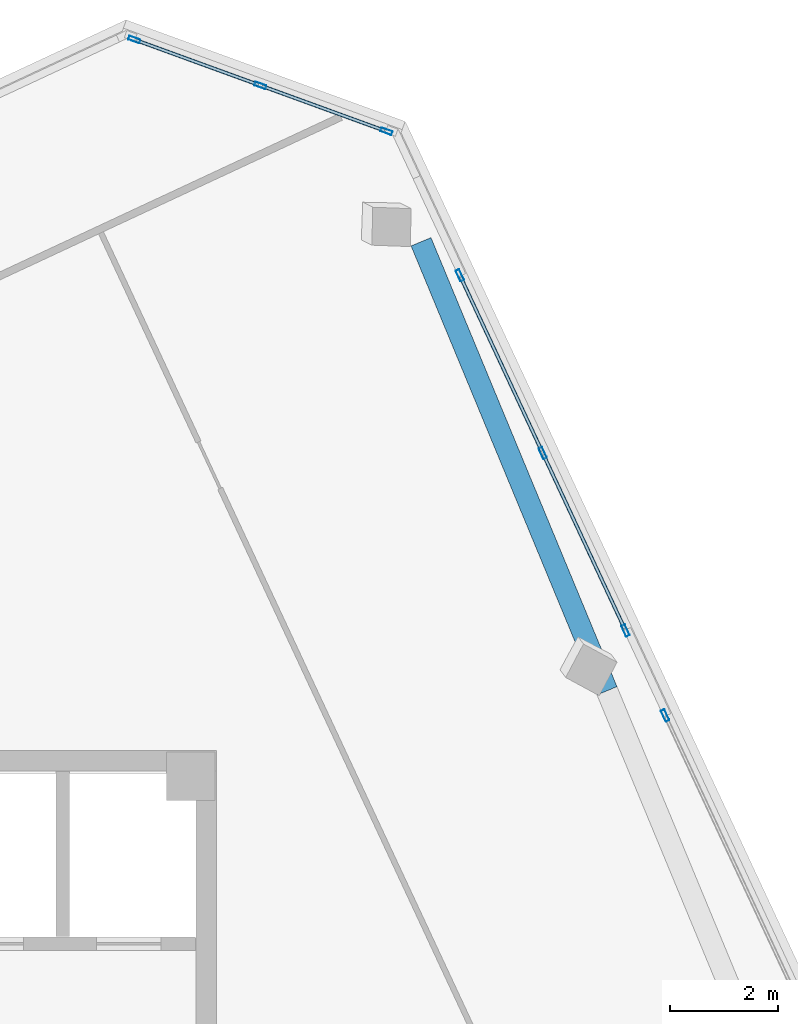
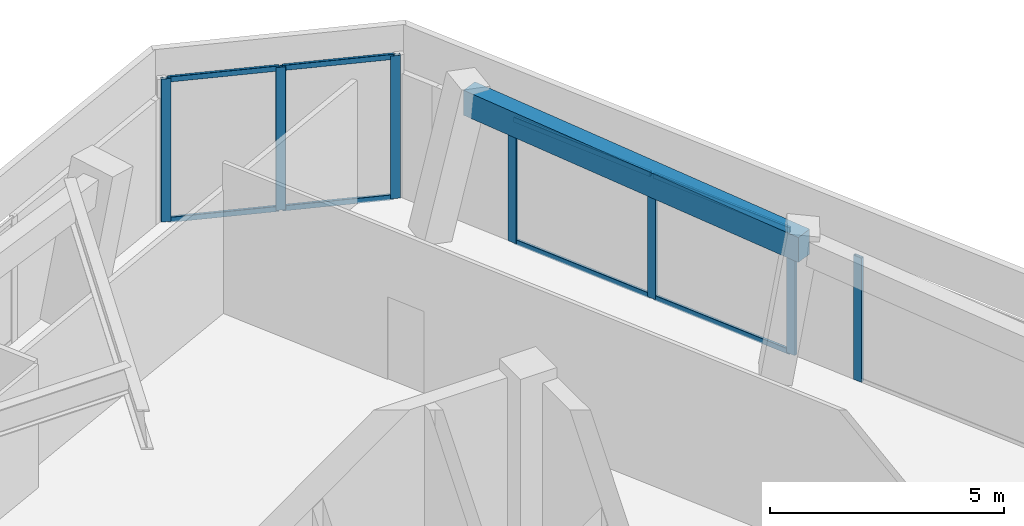
# One storey, part 10 of 16: 15 members, 1 beam, 3 elements without a shape of their own.
"""IFC4 building model written with IfcOpenShell, lengths in metres."""

from ifc_helpers import new_model, si_unit, direction, frame, origin, origin_2d, place, context, subcontext, project, spatial, rectangle, hollow_rectangle, extrude, source, transform, mapped, material, material_profile, profile_set, type_object, element, aggregate, save


model = new_model("IFC4")

# Units and contexts
model_context = context("Model", 3, precision=1e-05, world=origin(), true_north=direction((0.0, 1.0)))
body_context = subcontext(model_context, "Body", "Model", "MODEL_VIEW")
ifc_project = project(units=[si_unit("LENGTHUNIT", "METRE"), si_unit("AREAUNIT", "SQUARE_METRE"), si_unit("VOLUMEUNIT", "CUBIC_METRE"), si_unit("PLANEANGLEUNIT", "RADIAN"), si_unit("MASSUNIT", "GRAM", prefix="KILO")], contexts=[model_context])

# Site, building, storey
site_placement = place(None, origin())
site = spatial("IfcSite", under=ifc_project, at=site_placement, CompositionType="ELEMENT")
building_placement = place(site_placement, origin())
building = spatial("IfcBuilding", under=site, at=building_placement, Name="Torre Montelarca", CompositionType="ELEMENT")
storey_placement = place(building_placement, frame((0.0, 0.0, 345.0)))
storey = spatial("IfcBuildingStorey", under=building, at=storey_placement, Name="L78", CompositionType="ELEMENT", Elevation=345.0)

# Beam
ifc_material_1 = material(Name="Concrete C40/50", Category="concrete")
ifc_material_profile_1 = material_profile(ifc_material_1, rectangle(XDim=0.39990234375, YDim=0.64990234375, at=origin_2d()), Name="RCB400X650", Category="concrete")
ifc_profile_set_1 = profile_set([ifc_material_profile_1], Name="Concrete C40/50")
beam_type = type_object("IfcBeamType", Name="BM-SP-RC650-EXT", PredefinedType="SPANDREL", material=ifc_profile_set_1)
shared_shape_1 = source(origin(), body_context, "Body", "SweptSolid", [
    extrude(rectangle(XDim=0.39990234375, YDim=0.64990234375, at=origin_2d()), origin(), (0.0, 0.0, 1.0), 9.0),
])
beam_placement = place(storey_placement, frame((30.713134765625, 49.34619140625, 3.594970703125), z_axis=(0.382699975578, -0.923872679915, 0.0), x_axis=(0.923872679915, 0.382699975578, 0.0)))
element("IfcBeam", 1, at=beam_placement, inside=storey, type_object=beam_type, Name="L78 Grid Girder X 9.0-18.0 at Y=47.1", PredefinedType="SPANDREL", context=body_context, shape_type="MappedRepresentation", body=[
    mapped(shared_shape_1, transform((0.0, 0.0, 0.0), scale=1.0)),
])

# Curtain wall, members
ifc_material_2 = material(Name="Insulated low-E laminated glass", Category="glass")
curtain_wall_type = type_object("IfcCurtainWallType", Name="CW-SYS-Z4", PredefinedType="USERDEFINED", material=ifc_material_2)
curtain_wall_1_placement = place(storey_placement, origin())
curtain_wall_1 = element("IfcCurtainWall", 2, at=curtain_wall_1_placement, inside=storey, type_object=curtain_wall_type, Name="L78 Curtain Wall Run CW-T3-L78-E09-B1", ObjectType="UNITISED GLAZING", PredefinedType="USERDEFINED")
ifc_material_3 = material(Name="Anodised aluminium AA 6063-T6", Category="aluminium")
ifc_material_profile_2 = material_profile(ifc_material_3, hollow_rectangle(XDim=0.074951171875, YDim=0.219970703125, WallThickness=0.0048828125, InnerFilletRadius=0.0048828125, OuterFilletRadius=0.010009765625, at=origin_2d()), Name="ALU75X220X5", Category="aluminium")
ifc_profile_set_2 = profile_set([ifc_material_profile_2], Name="Anodised aluminium AA 6063-T6")
member_type_1 = type_object("IfcMemberType", Name="CWM-ALU220", PredefinedType="MULLION", material=ifc_profile_set_2)
shared_shape_2 = source(origin(), body_context, "Body", "SweptSolid", [
    extrude(hollow_rectangle(XDim=0.074951171875, YDim=0.219970703125, WallThickness=0.0048828125, InnerFilletRadius=0.0048828125, OuterFilletRadius=0.010009765625, at=origin_2d()), origin(), (0.0, 0.0, 1.0), 3.719970703125),
])
member_1_placement = place(storey_placement, frame((30.072265625, 51.3916015625, 0.0), z_axis=(0.0, 0.0, 1.0), x_axis=(-0.342015350618, -0.939694365175, 0.0)))
member_1 = element("IfcMember", 3, at=member_1_placement, type_object=member_type_1, Name="CW mullion 1", PredefinedType="MULLION", context=body_context, shape_type="MappedRepresentation", body=[
    mapped(shared_shape_2, transform((0.0, 0.0, 0.0), scale=1.0)),
])
member_2_placement = place(storey_placement, frame((27.73828125, 52.240966796875, 0.0), z_axis=(0.0, 0.0, 1.0), x_axis=(-0.342015350618, -0.939694365175, 0.0)))
member_2 = element("IfcMember", 4, at=member_2_placement, type_object=member_type_1, Name="CW mullion 2", PredefinedType="MULLION", context=body_context, shape_type="MappedRepresentation", body=[
    mapped(shared_shape_2, transform((0.0, 0.0, 0.0), scale=1.0)),
])
member_3_placement = place(storey_placement, frame((25.404541015625, 53.09033203125, 0.0), z_axis=(0.0, 0.0, 1.0), x_axis=(-0.342015350618, -0.939694365175, 0.0)))
member_3 = element("IfcMember", 5, at=member_3_placement, type_object=member_type_1, Name="CW mullion 3", PredefinedType="MULLION", context=body_context, shape_type="MappedRepresentation", body=[
    mapped(shared_shape_2, transform((0.0, 0.0, 0.0), scale=1.0)),
])
ifc_material_profile_3 = material_profile(ifc_material_3, hollow_rectangle(XDim=0.06494140625, YDim=0.139892578125, WallThickness=0.00390625, InnerFilletRadius=0.00390625, OuterFilletRadius=0.008056640625, at=origin_2d()), Name="ALU65X140X4", Category="aluminium")
ifc_profile_set_3 = profile_set([ifc_material_profile_3], Name="Anodised aluminium AA 6063-T6")
member_type_2 = type_object("IfcMemberType", Name="CWT-ALU140", PredefinedType="USERDEFINED", material=ifc_profile_set_3)
shared_shape_3 = source(origin(), body_context, "Body", "SweptSolid", [
    extrude(hollow_rectangle(XDim=0.06494140625, YDim=0.139892578125, WallThickness=0.00390625, InnerFilletRadius=0.00390625, OuterFilletRadius=0.008056640625, at=origin_2d()), origin(), (0.0, 0.0, 1.0), 2.40869140625),
])
member_4_placement = place(storey_placement, frame((27.703125, 52.253662109375, 0.032470703125), z_axis=(-0.939672032915, 0.342076702739, 0.0), x_axis=(-0.342076702739, -0.939672032915, 0.0)))
member_4 = element("IfcMember", 6, at=member_4_placement, type_object=member_type_2, Name="CW transom 2.1", ObjectType="TRANSOM", PredefinedType="USERDEFINED", context=body_context, shape_type="MappedRepresentation", body=[
    mapped(shared_shape_3, transform((0.0, 0.0, 0.0), scale=1.0)),
])
member_5_placement = place(storey_placement, frame((27.703125, 52.253662109375, 3.6875), z_axis=(-0.939672032915, 0.342076702739, 0.0), x_axis=(-0.342076702739, -0.939672032915, 0.0)))
member_5 = element("IfcMember", 7, at=member_5_placement, type_object=member_type_2, Name="CW transom 2.2", ObjectType="TRANSOM", PredefinedType="USERDEFINED", context=body_context, shape_type="MappedRepresentation", body=[
    mapped(shared_shape_3, transform((0.0, 0.0, 0.0), scale=1.0)),
])
shared_shape_4 = source(origin(), body_context, "Body", "SweptSolid", [
    extrude(hollow_rectangle(XDim=0.06494140625, YDim=0.139892578125, WallThickness=0.00390625, InnerFilletRadius=0.00390625, OuterFilletRadius=0.008056640625, at=origin_2d()), origin(), (0.0, 0.0, 1.0), 2.408447265625),
])
member_6_placement = place(storey_placement, frame((30.036865234375, 51.404296875, 0.032470703125), z_axis=(-0.939692753438, 0.342019778867, 0.0), x_axis=(-0.342019778867, -0.939692753438, 0.0)))
member_6 = element("IfcMember", 8, at=member_6_placement, type_object=member_type_2, Name="CW transom 1.1", ObjectType="TRANSOM", PredefinedType="USERDEFINED", context=body_context, shape_type="MappedRepresentation", body=[
    mapped(shared_shape_4, transform((0.0, 0.0, 0.0), scale=1.0)),
])
member_7_placement = place(storey_placement, frame((30.036865234375, 51.404296875, 3.6875), z_axis=(-0.939692753438, 0.342019778867, 0.0), x_axis=(-0.342019778867, -0.939692753438, 0.0)))
member_7 = element("IfcMember", 9, at=member_7_placement, type_object=member_type_2, Name="CW transom 1.2", ObjectType="TRANSOM", PredefinedType="USERDEFINED", context=body_context, shape_type="MappedRepresentation", body=[
    mapped(shared_shape_4, transform((0.0, 0.0, 0.0), scale=1.0)),
])
aggregate(curtain_wall_1, [member_1, member_2, member_3, member_6, member_7, member_4, member_5])

# Curtain wall, member
curtain_wall_2_placement = place(storey_placement, origin())
curtain_wall_2 = element("IfcCurtainWall", 10, at=curtain_wall_2_placement, inside=storey, type_object=curtain_wall_type, Name="L78 Curtain Wall Run CW-T3-L78-E08-B1", ObjectType="UNITISED GLAZING", PredefinedType="USERDEFINED")
shared_shape_5 = source(origin(), body_context, "Body", "SweptSolid", [
    extrude(hollow_rectangle(XDim=0.074951171875, YDim=0.219970703125, WallThickness=0.0048828125, InnerFilletRadius=0.0048828125, OuterFilletRadius=0.010009765625, at=origin_2d()), origin(), (0.0, 0.0, 1.0), 3.235107421875),
])
member_8_placement = place(storey_placement, frame((35.232666015625, 40.5751953125, 0.0), z_axis=(0.0, 0.0, 1.0), x_axis=(-0.906309172105, -0.42261529144, 0.0)))
member_8 = element("IfcMember", 11, at=member_8_placement, type_object=member_type_1, Name="CW mullion 3", PredefinedType="MULLION", context=body_context, shape_type="MappedRepresentation", body=[
    mapped(shared_shape_5, transform((0.0, 0.0, 0.0), scale=1.0)),
])
aggregate(curtain_wall_2, [member_8])

# Curtain wall, members
curtain_wall_3_placement = place(storey_placement, origin())
curtain_wall_3 = element("IfcCurtainWall", 12, at=curtain_wall_3_placement, inside=storey, type_object=curtain_wall_type, Name="L78 Curtain Wall Run CW-T3-L78-E08-B2", ObjectType="UNITISED GLAZING", PredefinedType="USERDEFINED")
member_9_placement = place(storey_placement, frame((34.499267578125, 42.147705078125, 0.0), z_axis=(0.0, 0.0, 1.0), x_axis=(-0.906309242811, -0.422615139808, 0.0)))
member_9 = element("IfcMember", 13, at=member_9_placement, type_object=member_type_1, Name="CW mullion 1", PredefinedType="MULLION", context=body_context, shape_type="MappedRepresentation", body=[
    mapped(shared_shape_5, transform((0.0, 0.0, 0.0), scale=1.0)),
])
member_10_placement = place(storey_placement, frame((32.9658203125, 45.43603515625, 0.0), z_axis=(0.0, 0.0, 1.0), x_axis=(-0.906309242811, -0.422615139808, 0.0)))
member_10 = element("IfcMember", 14, at=member_10_placement, type_object=member_type_1, Name="CW mullion 2", PredefinedType="MULLION", context=body_context, shape_type="MappedRepresentation", body=[
    mapped(shared_shape_5, transform((0.0, 0.0, 0.0), scale=1.0)),
])
member_11_placement = place(storey_placement, frame((31.4326171875, 48.724365234375, 0.0), z_axis=(0.0, 0.0, 1.0), x_axis=(-0.906309242811, -0.422615139808, 0.0)))
member_11 = element("IfcMember", 15, at=member_11_placement, type_object=member_type_1, Name="CW mullion 3", PredefinedType="MULLION", context=body_context, shape_type="MappedRepresentation", body=[
    mapped(shared_shape_5, transform((0.0, 0.0, 0.0), scale=1.0)),
])
shared_shape_6 = source(origin(), body_context, "Body", "SweptSolid", [
    extrude(hollow_rectangle(XDim=0.06494140625, YDim=0.139892578125, WallThickness=0.00390625, InnerFilletRadius=0.00390625, OuterFilletRadius=0.008056640625, at=origin_2d()), origin(), (0.0, 0.0, 1.0), 3.55322265625),
])
member_12_placement = place(storey_placement, frame((34.4833984375, 42.181884765625, 0.032470703125), z_axis=(-0.422640949355, 0.906297207283, 0.0), x_axis=(-0.906297207283, -0.422640949355, 0.0)))
member_12 = element("IfcMember", 16, at=member_12_placement, type_object=member_type_2, Name="CW transom 1.1", ObjectType="TRANSOM", PredefinedType="USERDEFINED", context=body_context, shape_type="MappedRepresentation", body=[
    mapped(shared_shape_6, transform((0.0, 0.0, 0.0), scale=1.0)),
])
member_13_placement = place(storey_placement, frame((34.4833984375, 42.181884765625, 3.202392578125), z_axis=(-0.422640949355, 0.906297207283, 0.0), x_axis=(-0.906297207283, -0.422640949355, 0.0)))
member_13 = element("IfcMember", 17, at=member_13_placement, type_object=member_type_2, Name="CW transom 1.2", ObjectType="TRANSOM", PredefinedType="USERDEFINED", context=body_context, shape_type="MappedRepresentation", body=[
    mapped(shared_shape_6, transform((0.0, 0.0, 0.0), scale=1.0)),
])
member_14_placement = place(storey_placement, frame((32.949951171875, 45.469970703125, 0.032470703125), z_axis=(-0.422558194007, 0.906335794658, 0.0), x_axis=(-0.906335794658, -0.422558194007, 0.0)))
member_14 = element("IfcMember", 18, at=member_14_placement, type_object=member_type_2, Name="CW transom 2.1", ObjectType="TRANSOM", PredefinedType="USERDEFINED", context=body_context, shape_type="MappedRepresentation", body=[
    mapped(shared_shape_6, transform((0.0, 0.0, 0.0), scale=1.0)),
])
member_15_placement = place(storey_placement, frame((32.949951171875, 45.469970703125, 3.202392578125), z_axis=(-0.422558194007, 0.906335794658, 0.0), x_axis=(-0.906335794658, -0.422558194007, 0.0)))
member_15 = element("IfcMember", 19, at=member_15_placement, type_object=member_type_2, Name="CW transom 2.2", ObjectType="TRANSOM", PredefinedType="USERDEFINED", context=body_context, shape_type="MappedRepresentation", body=[
    mapped(shared_shape_6, transform((0.0, 0.0, 0.0), scale=1.0)),
])
aggregate(curtain_wall_3, [member_9, member_10, member_11, member_12, member_13, member_14, member_15])

save(model, "model.ifc")
